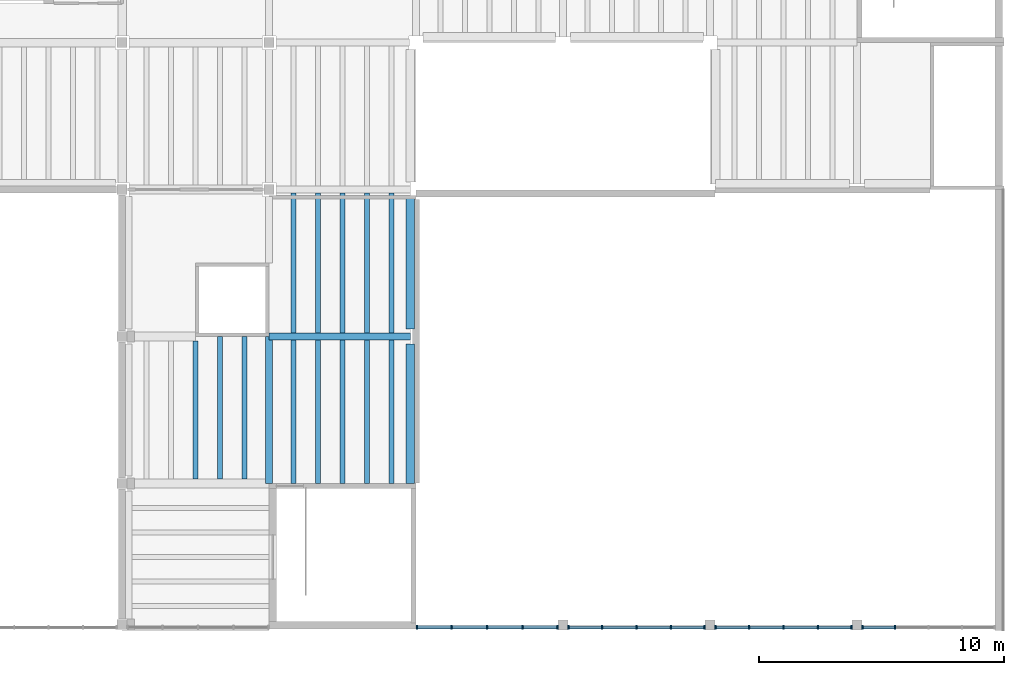
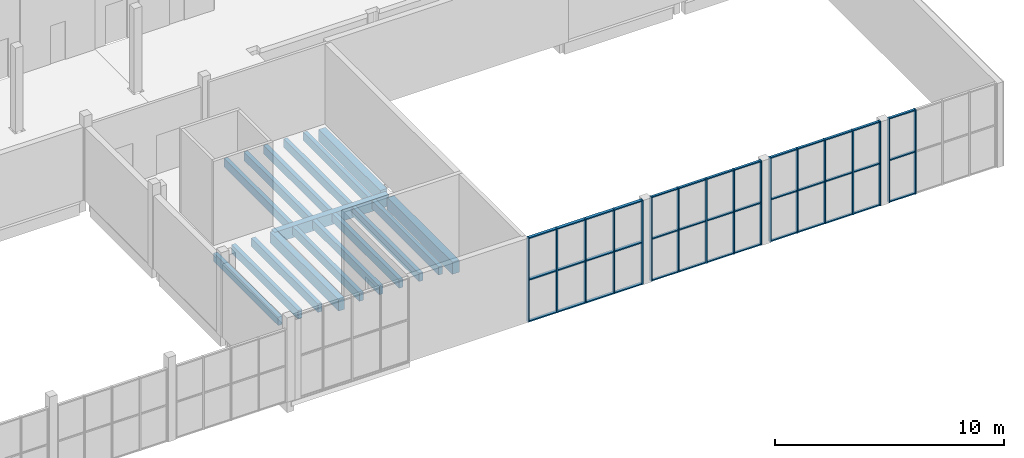
# One storey, part 6 of 70: 56 members, 17 beams, 4 elements without a shape of their own.
"""IFC4 building model written with IfcOpenShell, lengths in metres."""

from ifc_helpers import new_model, si_unit, direction, frame, origin, origin_2d, place, context, subcontext, project, spatial, rectangle, extrude, material, material_profile, profile_set, type_object, element, aggregate, save


model = new_model("IFC4")

# Units and contexts
model_context = context("Model", 3, precision=1e-05, world=origin(), true_north=direction((0.0, 1.0)))
body_context = subcontext(model_context, "Body", "Model", "MODEL_VIEW")
ifc_project = project(units=[si_unit("LENGTHUNIT", "METRE"), si_unit("AREAUNIT", "SQUARE_METRE"), si_unit("VOLUMEUNIT", "CUBIC_METRE"), si_unit("PLANEANGLEUNIT", "RADIAN"), si_unit("MASSUNIT", "GRAM", prefix="KILO")], contexts=[model_context])

# Site, building, storey
site_placement = place(None, origin())
site = spatial("IfcSite", under=ifc_project, at=site_placement, CompositionType="ELEMENT")
building_placement = place(site_placement, origin())
building = spatial("IfcBuilding", under=site, at=building_placement, Name="Saffron Lane Theatres", CompositionType="ELEMENT")
storey_placement = place(building_placement, frame((0.0, 0.0, 12.0)))
storey = spatial("IfcBuildingStorey", under=building, at=storey_placement, Name="L02", CompositionType="ELEMENT", Elevation=12.0)

# Curtain wall, members
ifc_material_1 = material(Name="Aluminium", Category="aluminium")
curtain_wall_type_1 = type_object("IfcCurtainWallType", Name="EX-CURTAIN WALL 5440x4500x160", PredefinedType="NOTDEFINED", material=ifc_material_1)
curtain_wall_1_placement = place(storey_placement, origin())
curtain_wall_1 = element("IfcCurtainWall", 1, at=curtain_wall_1_placement, inside=storey, type_object=curtain_wall_type_1, Name="Curtain wall L02 05", PredefinedType="NOTDEFINED")
ifc_material_2 = material(Name="Aluminium", Category="aluminium")
ifc_material_profile_1 = material_profile(ifc_material_2, rectangle(XDim=0.06005859375, YDim=0.159912109375, at=origin_2d()))
ifc_profile_set_1 = profile_set([ifc_material_profile_1], Name="Aluminium")
member_type_1 = type_object("IfcMemberType", Name="EX-CW MULLION 60x160", PredefinedType="MULLION", material=ifc_profile_set_1)
member_1_placement = place(storey_placement, frame((61.559814453125, 0.1298828125, 0.0), z_axis=(0.0, 0.0, 1.0), x_axis=(-1.0, 0.0, 0.0)))
member_1 = element("IfcMember", 2, at=member_1_placement, type_object=member_type_1, Name="CW-02-05 mullion 4", PredefinedType="MULLION", context=body_context, shape_type="SweptSolid", body=[
    extrude(rectangle(XDim=0.06005859375, YDim=0.159912109375, at=origin_2d()), origin(), (0.0, 0.0, 1.0), 4.5),
])
member_2_placement = place(storey_placement, frame((60.22998046875, 0.1298828125, 0.0), z_axis=(0.0, 0.0, 1.0), x_axis=(-1.0, 0.0, 0.0)))
member_2 = element("IfcMember", 3, at=member_2_placement, type_object=member_type_1, Name="CW-02-05 mullion 5", PredefinedType="MULLION", context=body_context, shape_type="SweptSolid", body=[
    extrude(rectangle(XDim=0.06005859375, YDim=0.159912109375, at=origin_2d()), origin(), (0.0, 0.0, 1.0), 4.5),
])

ifc_material_3 = material(Name="Aluminium", Category="aluminium")
curtain_wall_type_2 = type_object("IfcCurtainWallType", Name="EX-CURTAIN WALL 5600x4500x160", PredefinedType="NOTDEFINED", material=ifc_material_3)
curtain_wall_2_placement = place(storey_placement, origin())
curtain_wall_2 = element("IfcCurtainWall", 4, at=curtain_wall_2_placement, inside=storey, type_object=curtain_wall_type_2, Name="Curtain wall L02 06", PredefinedType="NOTDEFINED")
member_3_placement = place(storey_placement, frame((59.77001953125, 0.1298828125, 0.0), z_axis=(0.0, 0.0, 1.0), x_axis=(-1.0, 0.0, 0.0)))
member_3 = element("IfcMember", 5, at=member_3_placement, type_object=member_type_1, Name="CW-02-06 mullion 1", PredefinedType="MULLION", context=body_context, shape_type="SweptSolid", body=[
    extrude(rectangle(XDim=0.06005859375, YDim=0.159912109375, at=origin_2d()), origin(), (0.0, 0.0, 1.0), 4.5),
])
member_4_placement = place(storey_placement, frame((58.39990234375, 0.1298828125, 0.0), z_axis=(0.0, 0.0, 1.0), x_axis=(-1.0, 0.0, 0.0)))
member_4 = element("IfcMember", 6, at=member_4_placement, type_object=member_type_1, Name="CW-02-06 mullion 2", PredefinedType="MULLION", context=body_context, shape_type="SweptSolid", body=[
    extrude(rectangle(XDim=0.06005859375, YDim=0.159912109375, at=origin_2d()), origin(), (0.0, 0.0, 1.0), 4.5),
])
member_5_placement = place(storey_placement, frame((57.0, 0.1298828125, 0.0), z_axis=(0.0, 0.0, 1.0), x_axis=(-1.0, 0.0, 0.0)))
member_5 = element("IfcMember", 7, at=member_5_placement, type_object=member_type_1, Name="CW-02-06 mullion 3", PredefinedType="MULLION", context=body_context, shape_type="SweptSolid", body=[
    extrude(rectangle(XDim=0.06005859375, YDim=0.159912109375, at=origin_2d()), origin(), (0.0, 0.0, 1.0), 4.5),
])
member_6_placement = place(storey_placement, frame((55.60009765625, 0.1298828125, 0.0), z_axis=(0.0, 0.0, 1.0), x_axis=(-1.0, 0.0, 0.0)))
member_6 = element("IfcMember", 8, at=member_6_placement, type_object=member_type_1, Name="CW-02-06 mullion 4", PredefinedType="MULLION", context=body_context, shape_type="SweptSolid", body=[
    extrude(rectangle(XDim=0.06005859375, YDim=0.159912109375, at=origin_2d()), origin(), (0.0, 0.0, 1.0), 4.5),
])
member_7_placement = place(storey_placement, frame((54.22998046875, 0.1298828125, 0.0), z_axis=(0.0, 0.0, 1.0), x_axis=(-1.0, 0.0, 0.0)))
member_7 = element("IfcMember", 9, at=member_7_placement, type_object=member_type_1, Name="CW-02-06 mullion 5", PredefinedType="MULLION", context=body_context, shape_type="SweptSolid", body=[
    extrude(rectangle(XDim=0.06005859375, YDim=0.159912109375, at=origin_2d()), origin(), (0.0, 0.0, 1.0), 4.5),
])

curtain_wall_3_placement = place(storey_placement, origin())
curtain_wall_3 = element("IfcCurtainWall", 10, at=curtain_wall_3_placement, inside=storey, type_object=curtain_wall_type_2, Name="Curtain wall L02 07", PredefinedType="NOTDEFINED")
member_8_placement = place(storey_placement, frame((53.77001953125, 0.1298828125, 0.0), z_axis=(0.0, 0.0, 1.0), x_axis=(-1.0, 0.0, 0.0)))
member_8 = element("IfcMember", 11, at=member_8_placement, type_object=member_type_1, Name="CW-02-07 mullion 1", PredefinedType="MULLION", context=body_context, shape_type="SweptSolid", body=[
    extrude(rectangle(XDim=0.06005859375, YDim=0.159912109375, at=origin_2d()), origin(), (0.0, 0.0, 1.0), 4.5),
])
member_9_placement = place(storey_placement, frame((52.39990234375, 0.1298828125, 0.0), z_axis=(0.0, 0.0, 1.0), x_axis=(-1.0, 0.0, 0.0)))
member_9 = element("IfcMember", 12, at=member_9_placement, type_object=member_type_1, Name="CW-02-07 mullion 2", PredefinedType="MULLION", context=body_context, shape_type="SweptSolid", body=[
    extrude(rectangle(XDim=0.06005859375, YDim=0.159912109375, at=origin_2d()), origin(), (0.0, 0.0, 1.0), 4.5),
])
member_10_placement = place(storey_placement, frame((51.0, 0.1298828125, 0.0), z_axis=(0.0, 0.0, 1.0), x_axis=(-1.0, 0.0, 0.0)))
member_10 = element("IfcMember", 13, at=member_10_placement, type_object=member_type_1, Name="CW-02-07 mullion 3", PredefinedType="MULLION", context=body_context, shape_type="SweptSolid", body=[
    extrude(rectangle(XDim=0.06005859375, YDim=0.159912109375, at=origin_2d()), origin(), (0.0, 0.0, 1.0), 4.5),
])
member_11_placement = place(storey_placement, frame((49.60009765625, 0.1298828125, 0.0), z_axis=(0.0, 0.0, 1.0), x_axis=(-1.0, 0.0, 0.0)))
member_11 = element("IfcMember", 14, at=member_11_placement, type_object=member_type_1, Name="CW-02-07 mullion 4", PredefinedType="MULLION", context=body_context, shape_type="SweptSolid", body=[
    extrude(rectangle(XDim=0.06005859375, YDim=0.159912109375, at=origin_2d()), origin(), (0.0, 0.0, 1.0), 4.5),
])
member_12_placement = place(storey_placement, frame((48.22998046875, 0.1298828125, 0.0), z_axis=(0.0, 0.0, 1.0), x_axis=(-1.0, 0.0, 0.0)))
member_12 = element("IfcMember", 15, at=member_12_placement, type_object=member_type_1, Name="CW-02-07 mullion 5", PredefinedType="MULLION", context=body_context, shape_type="SweptSolid", body=[
    extrude(rectangle(XDim=0.06005859375, YDim=0.159912109375, at=origin_2d()), origin(), (0.0, 0.0, 1.0), 4.5),
])

ifc_material_4 = material(Name="Aluminium", Category="aluminium")
curtain_wall_type_3 = type_object("IfcCurtainWallType", Name="EX-CURTAIN WALL 5800x4500x160", PredefinedType="NOTDEFINED", material=ifc_material_4)
curtain_wall_4_placement = place(storey_placement, origin())
curtain_wall_4 = element("IfcCurtainWall", 16, at=curtain_wall_4_placement, inside=storey, type_object=curtain_wall_type_3, Name="Curtain wall L02 08", PredefinedType="NOTDEFINED")
member_13_placement = place(storey_placement, frame((47.77001953125, 0.1298828125, 0.0), z_axis=(0.0, 0.0, 1.0), x_axis=(-1.0, 0.0, 0.0)))
member_13 = element("IfcMember", 17, at=member_13_placement, type_object=member_type_1, Name="CW-02-08 mullion 1", PredefinedType="MULLION", context=body_context, shape_type="SweptSolid", body=[
    extrude(rectangle(XDim=0.06005859375, YDim=0.159912109375, at=origin_2d()), origin(), (0.0, 0.0, 1.0), 4.5),
])
member_14_placement = place(storey_placement, frame((46.35009765625, 0.1298828125, 0.0), z_axis=(0.0, 0.0, 1.0), x_axis=(-1.0, 0.0, 0.0)))
member_14 = element("IfcMember", 18, at=member_14_placement, type_object=member_type_1, Name="CW-02-08 mullion 2", PredefinedType="MULLION", context=body_context, shape_type="SweptSolid", body=[
    extrude(rectangle(XDim=0.06005859375, YDim=0.159912109375, at=origin_2d()), origin(), (0.0, 0.0, 1.0), 4.5),
])
member_15_placement = place(storey_placement, frame((44.89990234375, 0.1298828125, 0.0), z_axis=(0.0, 0.0, 1.0), x_axis=(-1.0, 0.0, 0.0)))
member_15 = element("IfcMember", 19, at=member_15_placement, type_object=member_type_1, Name="CW-02-08 mullion 3", PredefinedType="MULLION", context=body_context, shape_type="SweptSolid", body=[
    extrude(rectangle(XDim=0.06005859375, YDim=0.159912109375, at=origin_2d()), origin(), (0.0, 0.0, 1.0), 4.5),
])
member_16_placement = place(storey_placement, frame((43.449951171875, 0.1298828125, 0.0), z_axis=(0.0, 0.0, 1.0), x_axis=(-1.0, 0.0, 0.0)))
member_16 = element("IfcMember", 20, at=member_16_placement, type_object=member_type_1, Name="CW-02-08 mullion 4", PredefinedType="MULLION", context=body_context, shape_type="SweptSolid", body=[
    extrude(rectangle(XDim=0.06005859375, YDim=0.159912109375, at=origin_2d()), origin(), (0.0, 0.0, 1.0), 4.5),
])
member_17_placement = place(storey_placement, frame((42.030029296875, 0.1298828125, 0.0), z_axis=(0.0, 0.0, 1.0), x_axis=(-1.0, 0.0, 0.0)))
member_17 = element("IfcMember", 21, at=member_17_placement, type_object=member_type_1, Name="CW-02-08 mullion 5", PredefinedType="MULLION", context=body_context, shape_type="SweptSolid", body=[
    extrude(rectangle(XDim=0.06005859375, YDim=0.159912109375, at=origin_2d()), origin(), (0.0, 0.0, 1.0), 4.5),
])

# Member
ifc_material_5 = material(Name="Aluminium", Category="aluminium")
ifc_material_profile_2 = material_profile(ifc_material_5, rectangle(XDim=0.1201171875, YDim=0.06005859375, at=origin_2d()))
ifc_profile_set_2 = profile_set([ifc_material_profile_2], Name="Aluminium")
member_type_2 = type_object("IfcMemberType", Name="EX-CW TRANSOM 120x60", PredefinedType="USERDEFINED", material=ifc_profile_set_2)
member_18_placement = place(storey_placement, frame((61.530029296875, 0.1298828125, 0.030029296875), z_axis=(-1.0, 0.0, 0.0), x_axis=(0.0, -1.0, 0.0)))
member_18 = element("IfcMember", 22, at=member_18_placement, type_object=member_type_2, Name="CW-02-05 transom 4.1", ObjectType="TRANSOM", PredefinedType="USERDEFINED", context=body_context, shape_type="SweptSolid", body=[
    extrude(rectangle(XDim=0.1201171875, YDim=0.06005859375, at=origin_2d()), origin(), (0.0, 0.0, 1.0), 1.27001953125),
])

member_19_placement = place(storey_placement, frame((61.530029296875, 0.1298828125, 2.25), z_axis=(-1.0, 0.0, 0.0), x_axis=(0.0, -1.0, 0.0)))
member_19 = element("IfcMember", 23, at=member_19_placement, type_object=member_type_2, Name="CW-02-05 transom 4.2", ObjectType="TRANSOM", PredefinedType="USERDEFINED", context=body_context, shape_type="SweptSolid", body=[
    extrude(rectangle(XDim=0.1201171875, YDim=0.06005859375, at=origin_2d()), origin(), (0.0, 0.0, 1.0), 1.27001953125),
])

member_20_placement = place(storey_placement, frame((61.530029296875, 0.1298828125, 4.469970703125), z_axis=(-1.0, 0.0, 0.0), x_axis=(0.0, -1.0, 0.0)))
member_20 = element("IfcMember", 24, at=member_20_placement, type_object=member_type_2, Name="CW-02-05 transom 4.3", ObjectType="TRANSOM", PredefinedType="USERDEFINED", context=body_context, shape_type="SweptSolid", body=[
    extrude(rectangle(XDim=0.1201171875, YDim=0.06005859375, at=origin_2d()), origin(), (0.0, 0.0, 1.0), 1.27001953125),
])

aggregate(curtain_wall_1, [member_1, member_2, member_18, member_19, member_20])

member_21_placement = place(storey_placement, frame((59.739990234375, 0.1298828125, 0.030029296875), z_axis=(-1.0, 0.0, 0.0), x_axis=(0.0, -1.0, 0.0)))
member_21 = element("IfcMember", 25, at=member_21_placement, type_object=member_type_2, Name="CW-02-06 transom 1.1", ObjectType="TRANSOM", PredefinedType="USERDEFINED", context=body_context, shape_type="SweptSolid", body=[
    extrude(rectangle(XDim=0.1201171875, YDim=0.06005859375, at=origin_2d()), origin(), (0.0, 0.0, 1.0), 1.31005859375),
])

member_22_placement = place(storey_placement, frame((59.739990234375, 0.1298828125, 2.25), z_axis=(-1.0, 0.0, 0.0), x_axis=(0.0, -1.0, 0.0)))
member_22 = element("IfcMember", 26, at=member_22_placement, type_object=member_type_2, Name="CW-02-06 transom 1.2", ObjectType="TRANSOM", PredefinedType="USERDEFINED", context=body_context, shape_type="SweptSolid", body=[
    extrude(rectangle(XDim=0.1201171875, YDim=0.06005859375, at=origin_2d()), origin(), (0.0, 0.0, 1.0), 1.31005859375),
])

member_23_placement = place(storey_placement, frame((59.739990234375, 0.1298828125, 4.469970703125), z_axis=(-1.0, 0.0, 0.0), x_axis=(0.0, -1.0, 0.0)))
member_23 = element("IfcMember", 27, at=member_23_placement, type_object=member_type_2, Name="CW-02-06 transom 1.3", ObjectType="TRANSOM", PredefinedType="USERDEFINED", context=body_context, shape_type="SweptSolid", body=[
    extrude(rectangle(XDim=0.1201171875, YDim=0.06005859375, at=origin_2d()), origin(), (0.0, 0.0, 1.0), 1.31005859375),
])

member_24_placement = place(storey_placement, frame((58.3701171875, 0.1298828125, 0.030029296875), z_axis=(-1.0, 0.0, 0.0), x_axis=(0.0, -1.0, 0.0)))
member_24 = element("IfcMember", 28, at=member_24_placement, type_object=member_type_2, Name="CW-02-06 transom 2.1", ObjectType="TRANSOM", PredefinedType="USERDEFINED", context=body_context, shape_type="SweptSolid", body=[
    extrude(rectangle(XDim=0.1201171875, YDim=0.06005859375, at=origin_2d()), origin(), (0.0, 0.0, 1.0), 1.340087890625),
])

member_25_placement = place(storey_placement, frame((58.3701171875, 0.1298828125, 2.25), z_axis=(-1.0, 0.0, 0.0), x_axis=(0.0, -1.0, 0.0)))
member_25 = element("IfcMember", 29, at=member_25_placement, type_object=member_type_2, Name="CW-02-06 transom 2.2", ObjectType="TRANSOM", PredefinedType="USERDEFINED", context=body_context, shape_type="SweptSolid", body=[
    extrude(rectangle(XDim=0.1201171875, YDim=0.06005859375, at=origin_2d()), origin(), (0.0, 0.0, 1.0), 1.340087890625),
])

member_26_placement = place(storey_placement, frame((58.3701171875, 0.1298828125, 4.469970703125), z_axis=(-1.0, 0.0, 0.0), x_axis=(0.0, -1.0, 0.0)))
member_26 = element("IfcMember", 30, at=member_26_placement, type_object=member_type_2, Name="CW-02-06 transom 2.3", ObjectType="TRANSOM", PredefinedType="USERDEFINED", context=body_context, shape_type="SweptSolid", body=[
    extrude(rectangle(XDim=0.1201171875, YDim=0.06005859375, at=origin_2d()), origin(), (0.0, 0.0, 1.0), 1.340087890625),
])

member_27_placement = place(storey_placement, frame((56.969970703125, 0.1298828125, 0.030029296875), z_axis=(-1.0, 0.0, 0.0), x_axis=(0.0, -1.0, 0.0)))
member_27 = element("IfcMember", 31, at=member_27_placement, type_object=member_type_2, Name="CW-02-06 transom 3.1", ObjectType="TRANSOM", PredefinedType="USERDEFINED", context=body_context, shape_type="SweptSolid", body=[
    extrude(rectangle(XDim=0.1201171875, YDim=0.06005859375, at=origin_2d()), origin(), (0.0, 0.0, 1.0), 1.340087890625),
])

member_28_placement = place(storey_placement, frame((56.969970703125, 0.1298828125, 2.25), z_axis=(-1.0, 0.0, 0.0), x_axis=(0.0, -1.0, 0.0)))
member_28 = element("IfcMember", 32, at=member_28_placement, type_object=member_type_2, Name="CW-02-06 transom 3.2", ObjectType="TRANSOM", PredefinedType="USERDEFINED", context=body_context, shape_type="SweptSolid", body=[
    extrude(rectangle(XDim=0.1201171875, YDim=0.06005859375, at=origin_2d()), origin(), (0.0, 0.0, 1.0), 1.340087890625),
])

member_29_placement = place(storey_placement, frame((56.969970703125, 0.1298828125, 4.469970703125), z_axis=(-1.0, 0.0, 0.0), x_axis=(0.0, -1.0, 0.0)))
member_29 = element("IfcMember", 33, at=member_29_placement, type_object=member_type_2, Name="CW-02-06 transom 3.3", ObjectType="TRANSOM", PredefinedType="USERDEFINED", context=body_context, shape_type="SweptSolid", body=[
    extrude(rectangle(XDim=0.1201171875, YDim=0.06005859375, at=origin_2d()), origin(), (0.0, 0.0, 1.0), 1.340087890625),
])

member_30_placement = place(storey_placement, frame((55.570068359375, 0.1298828125, 0.030029296875), z_axis=(-1.0, 0.0, 0.0), x_axis=(0.0, -1.0, 0.0)))
member_30 = element("IfcMember", 34, at=member_30_placement, type_object=member_type_2, Name="CW-02-06 transom 4.1", ObjectType="TRANSOM", PredefinedType="USERDEFINED", context=body_context, shape_type="SweptSolid", body=[
    extrude(rectangle(XDim=0.1201171875, YDim=0.06005859375, at=origin_2d()), origin(), (0.0, 0.0, 1.0), 1.31005859375),
])

member_31_placement = place(storey_placement, frame((55.570068359375, 0.1298828125, 2.25), z_axis=(-1.0, 0.0, 0.0), x_axis=(0.0, -1.0, 0.0)))
member_31 = element("IfcMember", 35, at=member_31_placement, type_object=member_type_2, Name="CW-02-06 transom 4.2", ObjectType="TRANSOM", PredefinedType="USERDEFINED", context=body_context, shape_type="SweptSolid", body=[
    extrude(rectangle(XDim=0.1201171875, YDim=0.06005859375, at=origin_2d()), origin(), (0.0, 0.0, 1.0), 1.31005859375),
])

member_32_placement = place(storey_placement, frame((55.570068359375, 0.1298828125, 4.469970703125), z_axis=(-1.0, 0.0, 0.0), x_axis=(0.0, -1.0, 0.0)))
member_32 = element("IfcMember", 36, at=member_32_placement, type_object=member_type_2, Name="CW-02-06 transom 4.3", ObjectType="TRANSOM", PredefinedType="USERDEFINED", context=body_context, shape_type="SweptSolid", body=[
    extrude(rectangle(XDim=0.1201171875, YDim=0.06005859375, at=origin_2d()), origin(), (0.0, 0.0, 1.0), 1.31005859375),
])

aggregate(curtain_wall_2, [member_3, member_4, member_5, member_6, member_7, member_21, member_22, member_23, member_24, member_25, member_26, member_27, member_28, member_29, member_30, member_31, member_32])

member_33_placement = place(storey_placement, frame((53.739990234375, 0.1298828125, 0.030029296875), z_axis=(-1.0, 0.0, 0.0), x_axis=(0.0, -1.0, 0.0)))
member_33 = element("IfcMember", 37, at=member_33_placement, type_object=member_type_2, Name="CW-02-07 transom 1.1", ObjectType="TRANSOM", PredefinedType="USERDEFINED", context=body_context, shape_type="SweptSolid", body=[
    extrude(rectangle(XDim=0.1201171875, YDim=0.06005859375, at=origin_2d()), origin(), (0.0, 0.0, 1.0), 1.31005859375),
])

member_34_placement = place(storey_placement, frame((53.739990234375, 0.1298828125, 2.25), z_axis=(-1.0, 0.0, 0.0), x_axis=(0.0, -1.0, 0.0)))
member_34 = element("IfcMember", 38, at=member_34_placement, type_object=member_type_2, Name="CW-02-07 transom 1.2", ObjectType="TRANSOM", PredefinedType="USERDEFINED", context=body_context, shape_type="SweptSolid", body=[
    extrude(rectangle(XDim=0.1201171875, YDim=0.06005859375, at=origin_2d()), origin(), (0.0, 0.0, 1.0), 1.31005859375),
])

member_35_placement = place(storey_placement, frame((53.739990234375, 0.1298828125, 4.469970703125), z_axis=(-1.0, 0.0, 0.0), x_axis=(0.0, -1.0, 0.0)))
member_35 = element("IfcMember", 39, at=member_35_placement, type_object=member_type_2, Name="CW-02-07 transom 1.3", ObjectType="TRANSOM", PredefinedType="USERDEFINED", context=body_context, shape_type="SweptSolid", body=[
    extrude(rectangle(XDim=0.1201171875, YDim=0.06005859375, at=origin_2d()), origin(), (0.0, 0.0, 1.0), 1.31005859375),
])

member_36_placement = place(storey_placement, frame((52.3701171875, 0.1298828125, 0.030029296875), z_axis=(-1.0, 0.0, 0.0), x_axis=(0.0, -1.0, 0.0)))
member_36 = element("IfcMember", 40, at=member_36_placement, type_object=member_type_2, Name="CW-02-07 transom 2.1", ObjectType="TRANSOM", PredefinedType="USERDEFINED", context=body_context, shape_type="SweptSolid", body=[
    extrude(rectangle(XDim=0.1201171875, YDim=0.06005859375, at=origin_2d()), origin(), (0.0, 0.0, 1.0), 1.340087890625),
])

member_37_placement = place(storey_placement, frame((52.3701171875, 0.1298828125, 2.25), z_axis=(-1.0, 0.0, 0.0), x_axis=(0.0, -1.0, 0.0)))
member_37 = element("IfcMember", 41, at=member_37_placement, type_object=member_type_2, Name="CW-02-07 transom 2.2", ObjectType="TRANSOM", PredefinedType="USERDEFINED", context=body_context, shape_type="SweptSolid", body=[
    extrude(rectangle(XDim=0.1201171875, YDim=0.06005859375, at=origin_2d()), origin(), (0.0, 0.0, 1.0), 1.340087890625),
])

member_38_placement = place(storey_placement, frame((52.3701171875, 0.1298828125, 4.469970703125), z_axis=(-1.0, 0.0, 0.0), x_axis=(0.0, -1.0, 0.0)))
member_38 = element("IfcMember", 42, at=member_38_placement, type_object=member_type_2, Name="CW-02-07 transom 2.3", ObjectType="TRANSOM", PredefinedType="USERDEFINED", context=body_context, shape_type="SweptSolid", body=[
    extrude(rectangle(XDim=0.1201171875, YDim=0.06005859375, at=origin_2d()), origin(), (0.0, 0.0, 1.0), 1.340087890625),
])

member_39_placement = place(storey_placement, frame((50.969970703125, 0.1298828125, 0.030029296875), z_axis=(-1.0, 0.0, 0.0), x_axis=(0.0, -1.0, 0.0)))
member_39 = element("IfcMember", 43, at=member_39_placement, type_object=member_type_2, Name="CW-02-07 transom 3.1", ObjectType="TRANSOM", PredefinedType="USERDEFINED", context=body_context, shape_type="SweptSolid", body=[
    extrude(rectangle(XDim=0.1201171875, YDim=0.06005859375, at=origin_2d()), origin(), (0.0, 0.0, 1.0), 1.340087890625),
])

member_40_placement = place(storey_placement, frame((50.969970703125, 0.1298828125, 2.25), z_axis=(-1.0, 0.0, 0.0), x_axis=(0.0, -1.0, 0.0)))
member_40 = element("IfcMember", 44, at=member_40_placement, type_object=member_type_2, Name="CW-02-07 transom 3.2", ObjectType="TRANSOM", PredefinedType="USERDEFINED", context=body_context, shape_type="SweptSolid", body=[
    extrude(rectangle(XDim=0.1201171875, YDim=0.06005859375, at=origin_2d()), origin(), (0.0, 0.0, 1.0), 1.340087890625),
])

member_41_placement = place(storey_placement, frame((50.969970703125, 0.1298828125, 4.469970703125), z_axis=(-1.0, 0.0, 0.0), x_axis=(0.0, -1.0, 0.0)))
member_41 = element("IfcMember", 45, at=member_41_placement, type_object=member_type_2, Name="CW-02-07 transom 3.3", ObjectType="TRANSOM", PredefinedType="USERDEFINED", context=body_context, shape_type="SweptSolid", body=[
    extrude(rectangle(XDim=0.1201171875, YDim=0.06005859375, at=origin_2d()), origin(), (0.0, 0.0, 1.0), 1.340087890625),
])

member_42_placement = place(storey_placement, frame((49.570068359375, 0.1298828125, 0.030029296875), z_axis=(-1.0, 0.0, 0.0), x_axis=(0.0, -1.0, 0.0)))
member_42 = element("IfcMember", 46, at=member_42_placement, type_object=member_type_2, Name="CW-02-07 transom 4.1", ObjectType="TRANSOM", PredefinedType="USERDEFINED", context=body_context, shape_type="SweptSolid", body=[
    extrude(rectangle(XDim=0.1201171875, YDim=0.06005859375, at=origin_2d()), origin(), (0.0, 0.0, 1.0), 1.31005859375),
])

member_43_placement = place(storey_placement, frame((49.570068359375, 0.1298828125, 2.25), z_axis=(-1.0, 0.0, 0.0), x_axis=(0.0, -1.0, 0.0)))
member_43 = element("IfcMember", 47, at=member_43_placement, type_object=member_type_2, Name="CW-02-07 transom 4.2", ObjectType="TRANSOM", PredefinedType="USERDEFINED", context=body_context, shape_type="SweptSolid", body=[
    extrude(rectangle(XDim=0.1201171875, YDim=0.06005859375, at=origin_2d()), origin(), (0.0, 0.0, 1.0), 1.31005859375),
])

member_44_placement = place(storey_placement, frame((49.570068359375, 0.1298828125, 4.469970703125), z_axis=(-1.0, 0.0, 0.0), x_axis=(0.0, -1.0, 0.0)))
member_44 = element("IfcMember", 48, at=member_44_placement, type_object=member_type_2, Name="CW-02-07 transom 4.3", ObjectType="TRANSOM", PredefinedType="USERDEFINED", context=body_context, shape_type="SweptSolid", body=[
    extrude(rectangle(XDim=0.1201171875, YDim=0.06005859375, at=origin_2d()), origin(), (0.0, 0.0, 1.0), 1.31005859375),
])

aggregate(curtain_wall_3, [member_8, member_9, member_10, member_11, member_12, member_33, member_34, member_35, member_36, member_37, member_38, member_39, member_40, member_41, member_42, member_43, member_44])

ifc_material_6 = material(Name="Aluminium", Category="aluminium")
ifc_material_profile_3 = material_profile(ifc_material_6, rectangle(XDim=0.14990234375, YDim=0.06005859375, at=origin_2d()))
ifc_profile_set_3 = profile_set([ifc_material_profile_3], Name="Aluminium")
member_type_3 = type_object("IfcMemberType", Name="EX-CW TRANSOM 150x60", PredefinedType="USERDEFINED", material=ifc_profile_set_3)
member_45_placement = place(storey_placement, frame((47.739990234375, 0.1298828125, 0.030029296875), z_axis=(-1.0, 0.0, 0.0), x_axis=(0.0, -1.0, 0.0)))
member_45 = element("IfcMember", 49, at=member_45_placement, type_object=member_type_3, Name="CW-02-08 transom 1.1", ObjectType="TRANSOM", PredefinedType="USERDEFINED", context=body_context, shape_type="SweptSolid", body=[
    extrude(rectangle(XDim=0.14990234375, YDim=0.06005859375, at=origin_2d()), origin(), (0.0, 0.0, 1.0), 1.35986328125),
])

member_46_placement = place(storey_placement, frame((47.739990234375, 0.1298828125, 2.25), z_axis=(-1.0, 0.0, 0.0), x_axis=(0.0, -1.0, 0.0)))
member_46 = element("IfcMember", 50, at=member_46_placement, type_object=member_type_3, Name="CW-02-08 transom 1.2", ObjectType="TRANSOM", PredefinedType="USERDEFINED", context=body_context, shape_type="SweptSolid", body=[
    extrude(rectangle(XDim=0.14990234375, YDim=0.06005859375, at=origin_2d()), origin(), (0.0, 0.0, 1.0), 1.35986328125),
])

member_47_placement = place(storey_placement, frame((47.739990234375, 0.1298828125, 4.469970703125), z_axis=(-1.0, 0.0, 0.0), x_axis=(0.0, -1.0, 0.0)))
member_47 = element("IfcMember", 51, at=member_47_placement, type_object=member_type_3, Name="CW-02-08 transom 1.3", ObjectType="TRANSOM", PredefinedType="USERDEFINED", context=body_context, shape_type="SweptSolid", body=[
    extrude(rectangle(XDim=0.14990234375, YDim=0.06005859375, at=origin_2d()), origin(), (0.0, 0.0, 1.0), 1.35986328125),
])

member_48_placement = place(storey_placement, frame((46.320068359375, 0.1298828125, 0.030029296875), z_axis=(-1.0, 0.0, 0.0), x_axis=(0.0, -1.0, 0.0)))
member_48 = element("IfcMember", 52, at=member_48_placement, type_object=member_type_3, Name="CW-02-08 transom 2.1", ObjectType="TRANSOM", PredefinedType="USERDEFINED", context=body_context, shape_type="SweptSolid", body=[
    extrude(rectangle(XDim=0.14990234375, YDim=0.06005859375, at=origin_2d()), origin(), (0.0, 0.0, 1.0), 1.39013671875),
])

member_49_placement = place(storey_placement, frame((46.320068359375, 0.1298828125, 2.25), z_axis=(-1.0, 0.0, 0.0), x_axis=(0.0, -1.0, 0.0)))
member_49 = element("IfcMember", 53, at=member_49_placement, type_object=member_type_3, Name="CW-02-08 transom 2.2", ObjectType="TRANSOM", PredefinedType="USERDEFINED", context=body_context, shape_type="SweptSolid", body=[
    extrude(rectangle(XDim=0.14990234375, YDim=0.06005859375, at=origin_2d()), origin(), (0.0, 0.0, 1.0), 1.39013671875),
])

member_50_placement = place(storey_placement, frame((46.320068359375, 0.1298828125, 4.469970703125), z_axis=(-1.0, 0.0, 0.0), x_axis=(0.0, -1.0, 0.0)))
member_50 = element("IfcMember", 54, at=member_50_placement, type_object=member_type_3, Name="CW-02-08 transom 2.3", ObjectType="TRANSOM", PredefinedType="USERDEFINED", context=body_context, shape_type="SweptSolid", body=[
    extrude(rectangle(XDim=0.14990234375, YDim=0.06005859375, at=origin_2d()), origin(), (0.0, 0.0, 1.0), 1.39013671875),
])

member_51_placement = place(storey_placement, frame((44.8701171875, 0.1298828125, 0.030029296875), z_axis=(-1.0, 0.0, 0.0), x_axis=(0.0, -1.0, 0.0)))
member_51 = element("IfcMember", 55, at=member_51_placement, type_object=member_type_3, Name="CW-02-08 transom 3.1", ObjectType="TRANSOM", PredefinedType="USERDEFINED", context=body_context, shape_type="SweptSolid", body=[
    extrude(rectangle(XDim=0.14990234375, YDim=0.06005859375, at=origin_2d()), origin(), (0.0, 0.0, 1.0), 1.39013671875),
])

member_52_placement = place(storey_placement, frame((44.8701171875, 0.1298828125, 2.25), z_axis=(-1.0, 0.0, 0.0), x_axis=(0.0, -1.0, 0.0)))
member_52 = element("IfcMember", 56, at=member_52_placement, type_object=member_type_3, Name="CW-02-08 transom 3.2", ObjectType="TRANSOM", PredefinedType="USERDEFINED", context=body_context, shape_type="SweptSolid", body=[
    extrude(rectangle(XDim=0.14990234375, YDim=0.06005859375, at=origin_2d()), origin(), (0.0, 0.0, 1.0), 1.39013671875),
])

member_53_placement = place(storey_placement, frame((44.8701171875, 0.1298828125, 4.469970703125), z_axis=(-1.0, 0.0, 0.0), x_axis=(0.0, -1.0, 0.0)))
member_53 = element("IfcMember", 57, at=member_53_placement, type_object=member_type_3, Name="CW-02-08 transom 3.3", ObjectType="TRANSOM", PredefinedType="USERDEFINED", context=body_context, shape_type="SweptSolid", body=[
    extrude(rectangle(XDim=0.14990234375, YDim=0.06005859375, at=origin_2d()), origin(), (0.0, 0.0, 1.0), 1.39013671875),
])

member_54_placement = place(storey_placement, frame((43.419921875, 0.1298828125, 0.030029296875), z_axis=(-1.0, 0.0, 0.0), x_axis=(0.0, -1.0, 0.0)))
member_54 = element("IfcMember", 58, at=member_54_placement, type_object=member_type_3, Name="CW-02-08 transom 4.1", ObjectType="TRANSOM", PredefinedType="USERDEFINED", context=body_context, shape_type="SweptSolid", body=[
    extrude(rectangle(XDim=0.14990234375, YDim=0.06005859375, at=origin_2d()), origin(), (0.0, 0.0, 1.0), 1.35986328125),
])

member_55_placement = place(storey_placement, frame((43.419921875, 0.1298828125, 2.25), z_axis=(-1.0, 0.0, 0.0), x_axis=(0.0, -1.0, 0.0)))
member_55 = element("IfcMember", 59, at=member_55_placement, type_object=member_type_3, Name="CW-02-08 transom 4.2", ObjectType="TRANSOM", PredefinedType="USERDEFINED", context=body_context, shape_type="SweptSolid", body=[
    extrude(rectangle(XDim=0.14990234375, YDim=0.06005859375, at=origin_2d()), origin(), (0.0, 0.0, 1.0), 1.35986328125),
])

member_56_placement = place(storey_placement, frame((43.419921875, 0.1298828125, 4.469970703125), z_axis=(-1.0, 0.0, 0.0), x_axis=(0.0, -1.0, 0.0)))
member_56 = element("IfcMember", 60, at=member_56_placement, type_object=member_type_3, Name="CW-02-08 transom 4.3", ObjectType="TRANSOM", PredefinedType="USERDEFINED", context=body_context, shape_type="SweptSolid", body=[
    extrude(rectangle(XDim=0.14990234375, YDim=0.06005859375, at=origin_2d()), origin(), (0.0, 0.0, 1.0), 1.35986328125),
])

aggregate(curtain_wall_4, [member_13, member_14, member_15, member_16, member_17, member_45, member_46, member_47, member_48, member_49, member_50, member_51, member_52, member_53, member_54, member_55, member_56])

# Beams
ifc_material_7 = material(Name="Concrete N40 (40 MPa)", Category="concrete")
ifc_material_profile_4 = material_profile(ifc_material_7, rectangle(XDim=0.300048828125, YDim=0.60009765625, at=origin_2d()))
ifc_profile_set_4 = profile_set([ifc_material_profile_4], Name="Concrete N40 (40 MPa)")
beam_type_1 = type_object("IfcBeamType", Name="RC-BEAM 300x600", PredefinedType="BEAM", material=ifc_profile_set_4)
beam_1_placement = place(storey_placement, frame((36.0, 12.0, -0.550048828125), z_axis=(1.0, 0.0, 0.0), x_axis=(0.0, 1.0, 0.0)))
element("IfcBeam", 61, at=beam_1_placement, inside=storey, type_object=beam_type_1, Name="beam-L02-x120-360", PredefinedType="BEAM", context=body_context, shape_type="SweptSolid", body=[
    extrude(rectangle(XDim=0.300048828125, YDim=0.60009765625, at=origin_2d()), origin(), (0.0, 0.0, 1.0), 5.77490234375),
])
beam_2_placement = place(storey_placement, frame((36.0, 6.0, -0.550048828125), z_axis=(0.0, 1.0, 0.0), x_axis=(-1.0, 0.0, 0.0)))
element("IfcBeam", 62, at=beam_2_placement, inside=storey, type_object=beam_type_1, Name="beam-L02-y360-60", PredefinedType="BEAM", context=body_context, shape_type="SweptSolid", body=[
    extrude(rectangle(XDim=0.300048828125, YDim=0.60009765625, at=origin_2d()), origin(), (0.0, 0.0, 1.0), 6.0),
])
ifc_material_8 = material(Name="Concrete N40 (40 MPa)", Category="concrete")
ifc_material_profile_5 = material_profile(ifc_material_8, rectangle(XDim=0.35009765625, YDim=0.64990234375, at=origin_2d()))
ifc_profile_set_5 = profile_set([ifc_material_profile_5], Name="Concrete N40 (40 MPa)")
beam_type_2 = type_object("IfcBeamType", Name="RC-BEAM 350x650", PredefinedType="BEAM", material=ifc_profile_set_5)
beam_3_placement = place(storey_placement, frame((41.764892578125, 6.0, -0.574951171875), z_axis=(0.0, 1.0, 0.0), x_axis=(-1.0, 0.0, 0.0)))
element("IfcBeam", 63, at=beam_3_placement, inside=storey, type_object=beam_type_2, Name="beam-L02-y420-60", PredefinedType="BEAM", context=body_context, shape_type="SweptSolid", body=[
    extrude(rectangle(XDim=0.35009765625, YDim=0.64990234375, at=origin_2d()), origin(), (0.0, 0.0, 1.0), 5.699951171875),
])
beam_4_placement = place(storey_placement, frame((41.764892578125, 12.300048828125, -0.574951171875), z_axis=(0.0, 1.0, 0.0), x_axis=(-1.0, 0.0, 0.0)))
element("IfcBeam", 64, at=beam_4_placement, inside=storey, type_object=beam_type_2, Name="beam-L02-y420-123", PredefinedType="BEAM", context=body_context, shape_type="SweptSolid", body=[
    extrude(rectangle(XDim=0.35009765625, YDim=0.64990234375, at=origin_2d()), origin(), (0.0, 0.0, 1.0), 5.39990234375),
])
ifc_material_9 = material(Name="Concrete N40 (40 MPa)", Category="concrete")
ifc_material_profile_6 = material_profile(ifc_material_9, rectangle(XDim=0.199951171875, YDim=0.449951171875, at=origin_2d()))
ifc_profile_set_6 = profile_set([ifc_material_profile_6], Name="Concrete N40 (40 MPa)")
beam_type_3 = type_object("IfcBeamType", Name="RC-JOIST 200x450", PredefinedType="JOIST", material=ifc_profile_set_6)
beam_5_placement = place(storey_placement, frame((33.0, 6.175048828125, -0.47509765625), z_axis=(0.0, 1.0, 0.0), x_axis=(-1.0, 0.0, 0.0)))
element("IfcBeam", 65, at=beam_5_placement, inside=storey, type_object=beam_type_3, Name="joist-L02-y3300-62", PredefinedType="JOIST", context=body_context, shape_type="SweptSolid", body=[
    extrude(rectangle(XDim=0.199951171875, YDim=0.449951171875, at=origin_2d()), origin(), (0.0, 0.0, 1.0), 5.64990234375),
])
for number, where, z_axis, x_axis, name in (
    (66, (34.0, 6.175048828125, -0.47509765625), (0.0, 1.0, 0.0), (-1.0, 0.0, 0.0), "joist-L02-y3400-62"),
    (67, (35.0, 6.175048828125, -0.47509765625), (0.0, 1.0, 0.0), (-1.0, 0.0, 0.0), "joist-L02-y3500-62"),
):
    element("IfcBeam", number, at=place(storey_placement, frame(where, z_axis=z_axis, x_axis=x_axis)), inside=storey, type_object=beam_type_3, Name=name, PredefinedType="JOIST", context=body_context, shape_type="SweptSolid", body=[
        extrude(rectangle(XDim=0.199951171875, YDim=0.449951171875, at=origin_2d()), origin(), (0.0, 0.0, 1.0), 5.824951171875),
    ])
for number, where, z_axis, x_axis, name in (
    (68, (37.0, 6.0, -0.47509765625), (0.0, 1.0, 0.0), (-1.0, 0.0, 0.0), "joist-L02-y3700-60"),
    (69, (38.0, 6.0, -0.47509765625), (0.0, 1.0, 0.0), (-1.0, 0.0, 0.0), "joist-L02-y3800-60"),
    (70, (39.0, 6.0, -0.47509765625), (0.0, 1.0, 0.0), (-1.0, 0.0, 0.0), "joist-L02-y3900-60"),
    (71, (40.0, 6.0, -0.47509765625), (0.0, 1.0, 0.0), (-1.0, 0.0, 0.0), "joist-L02-y4000-60"),
    (72, (41.0, 6.0, -0.47509765625), (0.0, 1.0, 0.0), (-1.0, 0.0, 0.0), "joist-L02-y4100-60"),
):
    element("IfcBeam", number, at=place(storey_placement, frame(where, z_axis=z_axis, x_axis=x_axis)), inside=storey, type_object=beam_type_3, Name=name, PredefinedType="JOIST", context=body_context, shape_type="SweptSolid", body=[
        extrude(rectangle(XDim=0.199951171875, YDim=0.449951171875, at=origin_2d()), origin(), (0.0, 0.0, 1.0), 5.85009765625),
    ])
for number, where, z_axis, x_axis, name in (
    (73, (37.0, 12.14990234375, -0.47509765625), (0.0, 1.0, 0.0), (-1.0, 0.0, 0.0), "joist-L02-y3700-122"),
    (74, (38.0, 12.14990234375, -0.47509765625), (0.0, 1.0, 0.0), (-1.0, 0.0, 0.0), "joist-L02-y3800-122"),
    (75, (39.0, 12.14990234375, -0.47509765625), (0.0, 1.0, 0.0), (-1.0, 0.0, 0.0), "joist-L02-y3900-122"),
    (76, (40.0, 12.14990234375, -0.47509765625), (0.0, 1.0, 0.0), (-1.0, 0.0, 0.0), "joist-L02-y4000-122"),
    (77, (41.0, 12.14990234375, -0.47509765625), (0.0, 1.0, 0.0), (-1.0, 0.0, 0.0), "joist-L02-y4100-122"),
):
    element("IfcBeam", number, at=place(storey_placement, frame(where, z_axis=z_axis, x_axis=x_axis)), inside=storey, type_object=beam_type_3, Name=name, PredefinedType="JOIST", context=body_context, shape_type="SweptSolid", body=[
        extrude(rectangle(XDim=0.199951171875, YDim=0.449951171875, at=origin_2d()), origin(), (0.0, 0.0, 1.0), 5.7001953125),
    ])

save(model, "model.ifc")
